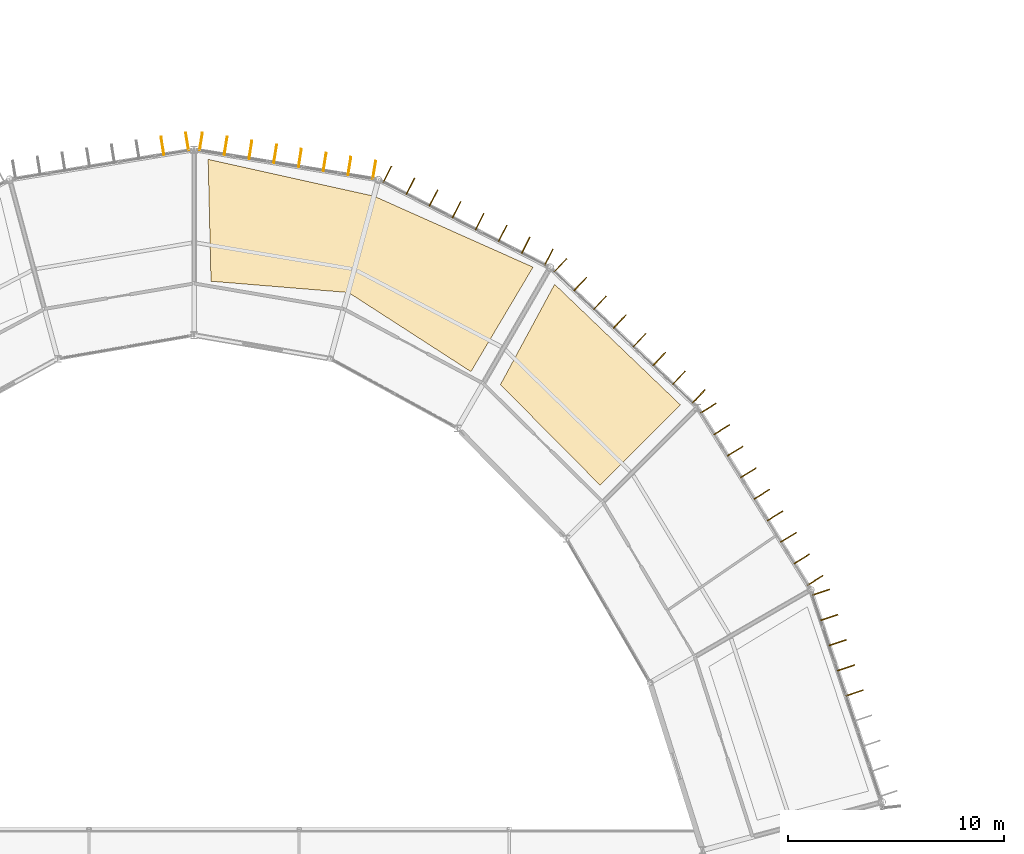
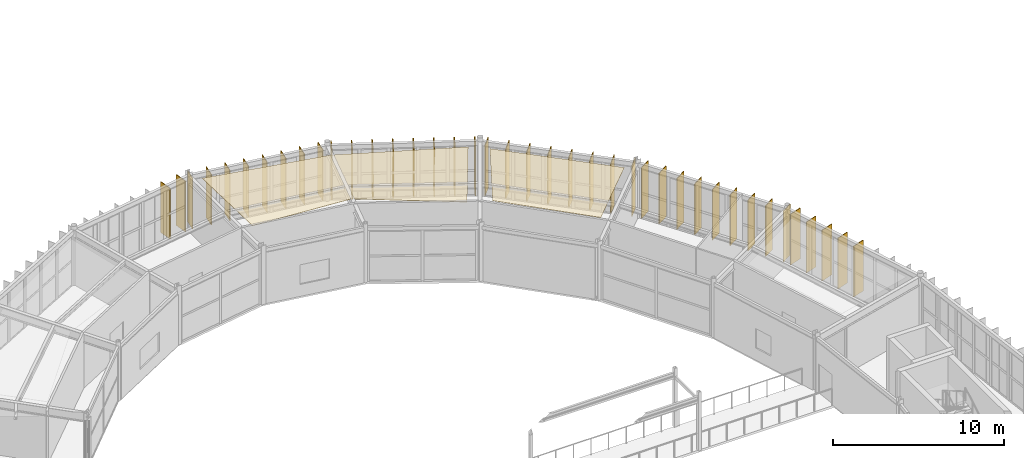
# One storey, part 146 of 148: 40 shading devices, 2 coverings.
"""IFC4 building model written with IfcOpenShell, lengths in metres."""

from ifc_helpers import new_model, si_unit, direction, frame, origin, origin_2d, place, context, subcontext, project, spatial, polyline, rectangle, outline, extrude, material, layer, layer_set, type_object, element, save


model = new_model("IFC4")

# Units and contexts
model_context = context("Model", 3, precision=1e-05, world=origin(), true_north=direction((0.0, 1.0)))
body_context = subcontext(model_context, "Body", "Model", "MODEL_VIEW")
ifc_project = project(units=[si_unit("LENGTHUNIT", "METRE"), si_unit("AREAUNIT", "SQUARE_METRE"), si_unit("VOLUMEUNIT", "CUBIC_METRE"), si_unit("PLANEANGLEUNIT", "RADIAN"), si_unit("MASSUNIT", "GRAM", prefix="KILO")], contexts=[model_context])

# Site, building, storey
site_placement = place(None, origin())
site = spatial("IfcSite", under=ifc_project, at=site_placement, CompositionType="ELEMENT")
building_placement = place(site_placement, origin())
building = spatial("IfcBuilding", under=site, at=building_placement, Name="Karori Crest Natural Sciences Institute", CompositionType="ELEMENT")
storey_placement = place(building_placement, frame((0.0, 0.0, 4.89990234375)))
storey = spatial("IfcBuildingStorey", under=building, at=storey_placement, Name="L01", CompositionType="ELEMENT", Elevation=4.89990234375)

# Coverings
ifc_material_1 = material(Name="Acoustic mineral fibre ceiling tile")
ifc_layer_1 = layer(ifc_material_1, 0.02490234375, Name="Acoustic mineral fibre ceiling tile")
ifc_layer_set_1 = layer_set([ifc_layer_1], Name="Acoustic mineral fibre ceiling tile")
covering_type = type_object("IfcCoveringType", Name="CVT-CEIL", PredefinedType="CEILING", material=ifc_layer_set_1)
covering_1_placement = place(storey_placement, frame((0.0, 0.0, 3.705078125)))
element("IfcCovering", 1, at=covering_1_placement, inside=storey, type_object=covering_type, Name="Acoustic ceiling CLG-0055", PredefinedType="CEILING", context=body_context, shape_type="SweptSolid", body=[
    extrude(outline(polyline([(80.598388671875, 79.8115234375), (85.21337890625, 75.154052734375), (88.943603515625, 78.87060546875), (83.110595703125, 84.4619140625), (80.598388671875, 79.8115234375)])), origin(), (0.0, 0.0, 1.0), 0.02490234375),
])
covering_2_placement = place(storey_placement, frame((0.0, 0.0, 3.705078125)))
element("IfcCovering", 2, at=covering_2_placement, inside=storey, type_object=covering_type, Name="Acoustic ceiling CLG-0056", PredefinedType="CEILING", context=body_context, shape_type="SweptSolid", body=[
    extrude(outline(polyline([(73.555908203125, 84.079833984375), (79.2314453125, 80.412841796875), (82.1103515625, 85.256591796875), (74.745361328125, 88.54443359375), (67.05078125, 90.251953125), (67.183349609375, 84.602783203125), (73.555908203125, 84.079833984375)])), origin(), (0.0, 0.0, 1.0), 0.02490234375),
])

# Shading devices
ifc_material_2 = material(Name="Anodised architectural aluminium 6063-T6", Category="aluminium")
ifc_layer_2 = layer(ifc_material_2, 0.044921875, Name="Anodised architectural aluminium 6063-T6")
ifc_layer_set_2 = layer_set([ifc_layer_2], Name="Anodised architectural aluminium 6063-T6")
shading_device_type = type_object("IfcShadingDeviceType", Name="SDT-FIN", PredefinedType="USERDEFINED", material=ifc_layer_set_2)
for number, where, z_axis, x_axis, name in (
    (3, (95.4501953125, 70.18359375, 0.0), (0.0, 0.0, 1.0), (0.948196204549, 0.317685312343, 0.0), "Vertical solar fin FN-0010"),
    (4, (95.841064453125, 69.01708984375, 0.0), (0.0, 0.0, 1.0), (0.948196204549, 0.317685312343, 0.0), "Vertical solar fin FN-0011"),
    (5, (96.231689453125, 67.8505859375, 0.0), (0.0, 0.0, 1.0), (0.948196204549, 0.317685312343, 0.0), "Vertical solar fin FN-0012"),
    (6, (96.62255859375, 66.68408203125, 0.0), (0.0, 0.0, 1.0), (0.948196204549, 0.317685312343, 0.0), "Vertical solar fin FN-0013"),
    (7, (97.013427734375, 65.517578125, 0.0), (0.0, 0.0, 1.0), (0.948196204549, 0.317685312343, 0.0), "Vertical solar fin FN-0014"),
    (8, (90.236083984375, 78.719482421875, 0.0), (0.0, 0.0, 1.0), (0.849665445313, 0.527322132136, 0.0), "Vertical solar fin FN-0019"),
    (9, (90.855224609375, 77.7216796875, 0.0), (0.0, 0.0, 1.0), (0.849665445313, 0.527322132136, 0.0), "Vertical solar fin FN-0020"),
    (10, (91.474609375, 76.723876953125, 0.0), (0.0, 0.0, 1.0), (0.849665445313, 0.527322132136, 0.0), "Vertical solar fin FN-0021"),
    (11, (92.09375, 75.72607421875, 0.0), (0.0, 0.0, 1.0), (0.849665445313, 0.527322132136, 0.0), "Vertical solar fin FN-0022"),
    (12, (92.712890625, 74.728271484375, 0.0), (0.0, 0.0, 1.0), (0.849665445313, 0.527322132136, 0.0), "Vertical solar fin FN-0023"),
    (13, (93.332275390625, 73.73046875, 0.0), (0.0, 0.0, 1.0), (0.849665445313, 0.527322132136, 0.0), "Vertical solar fin FN-0024"),
    (14, (93.951416015625, 72.732666015625, 0.0), (0.0, 0.0, 1.0), (0.849665445313, 0.527322132136, 0.0), "Vertical solar fin FN-0025"),
    (15, (94.57080078125, 71.73486328125, 0.0), (0.0, 0.0, 1.0), (0.849665445313, 0.527322132136, 0.0), "Vertical solar fin FN-0026"),
    (16, (95.18994140625, 70.737060546875, 0.0), (0.0, 0.0, 1.0), (0.849665445313, 0.527322132136, 0.0), "Vertical solar fin FN-0027"),
    (17, (83.382080078125, 85.34130859375, 0.0), (0.0, 0.0, 1.0), (0.688245690469, 0.725477683703, 0.0), "Vertical solar fin FN-0028"),
    (18, (84.297607421875, 84.472900390625, 0.0), (0.0, 0.0, 1.0), (0.688245690469, 0.725477683703, 0.0), "Vertical solar fin FN-0029"),
    (19, (85.213134765625, 83.6044921875, 0.0), (0.0, 0.0, 1.0), (0.688245690469, 0.725477683703, 0.0), "Vertical solar fin FN-0030"),
    (20, (86.12841796875, 82.736083984375, 0.0), (0.0, 0.0, 1.0), (0.688245690469, 0.725477683703, 0.0), "Vertical solar fin FN-0031"),
    (21, (87.0439453125, 81.86767578125, 0.0), (0.0, 0.0, 1.0), (0.688245690469, 0.725477683703, 0.0), "Vertical solar fin FN-0032"),
    (22, (87.959228515625, 80.999267578125, 0.0), (0.0, 0.0, 1.0), (0.688245690469, 0.725477683703, 0.0), "Vertical solar fin FN-0033"),
    (23, (88.874755859375, 80.130859375, 0.0), (0.0, 0.0, 1.0), (0.688245690469, 0.725477683703, 0.0), "Vertical solar fin FN-0034"),
    (24, (89.7900390625, 79.262451171875, 0.0), (0.0, 0.0, 1.0), (0.688245690469, 0.725477683703, 0.0), "Vertical solar fin FN-0035"),
    (25, (75.359375, 89.55615234375, 0.0), (0.0, 0.0, 1.0), (0.455832320655, 0.890065669176, 0.0), "Vertical solar fin FN-0036"),
    (26, (76.42822265625, 89.0087890625, 0.0), (0.0, 0.0, 1.0), (0.455832320655, 0.890065669176, 0.0), "Vertical solar fin FN-0037"),
    (27, (77.4970703125, 88.46142578125, 0.0), (0.0, 0.0, 1.0), (0.455832320655, 0.890065669176, 0.0), "Vertical solar fin FN-0038"),
    (28, (78.56591796875, 87.9140625, 0.0), (0.0, 0.0, 1.0), (0.455832320655, 0.890065669176, 0.0), "Vertical solar fin FN-0039"),
    (29, (79.634765625, 87.36669921875, 0.0), (0.0, 0.0, 1.0), (0.455832320655, 0.890065669176, 0.0), "Vertical solar fin FN-0040"),
    (30, (80.70361328125, 86.819091796875, 0.0), (0.0, 0.0, 1.0), (0.455832320655, 0.890065669176, 0.0), "Vertical solar fin FN-0041"),
    (31, (81.7724609375, 86.271728515625, 0.0), (0.0, 0.0, 1.0), (0.455832320655, 0.890065669176, 0.0), "Vertical solar fin FN-0042"),
    (32, (82.84130859375, 85.724365234375, 0.0), (0.0, 0.0, 1.0), (0.455832320655, 0.890065669176, 0.0), "Vertical solar fin FN-0043"),
    (33, (66.718017578125, 91.063720703125, 0.0), (0.0, 0.0, 1.0), (0.160651265334, 0.987011231419, 0.0), "Vertical solar fin FN-0044"),
    (34, (67.865478515625, 90.876708984375, 0.0), (0.0, 0.0, 1.0), (0.160651265334, 0.987011231419, 0.0), "Vertical solar fin FN-0045"),
    (35, (69.012939453125, 90.690185546875, 0.0), (0.0, 0.0, 1.0), (0.160651265334, 0.987011231419, 0.0), "Vertical solar fin FN-0046"),
    (36, (70.160400390625, 90.50341796875, 0.0), (0.0, 0.0, 1.0), (0.160651265334, 0.987011231419, 0.0), "Vertical solar fin FN-0047"),
    (37, (71.307861328125, 90.31640625, 0.0), (0.0, 0.0, 1.0), (0.160651265334, 0.987011231419, 0.0), "Vertical solar fin FN-0048"),
    (38, (72.455322265625, 90.1298828125, 0.0), (0.0, 0.0, 1.0), (0.160651265334, 0.987011231419, 0.0), "Vertical solar fin FN-0049"),
    (39, (73.602783203125, 89.943115234375, 0.0), (0.0, 0.0, 1.0), (0.160651265334, 0.987011231419, 0.0), "Vertical solar fin FN-0050"),
    (40, (74.750244140625, 89.756103515625, 0.0), (0.0, 0.0, 1.0), (0.160651265334, 0.987011231419, 0.0), "Vertical solar fin FN-0051"),
    (41, (64.936767578125, 90.877197265625, 0.0), (0.0, 0.0, 1.0), (-0.16065643331, 0.987010390237, 0.0), "Vertical solar fin FN-0058"),
    (42, (66.081787109375, 91.063720703125, 0.0), (0.0, 0.0, 1.0), (-0.16065643331, 0.987010390237, 0.0), "Vertical solar fin FN-0059"),
):
    element("IfcShadingDevice", number, at=place(storey_placement, frame(where, z_axis=z_axis, x_axis=x_axis)), inside=storey, type_object=shading_device_type, Name=name, ObjectType="SOLAR_FIN", PredefinedType="USERDEFINED", context=body_context, shape_type="SweptSolid", body=[
        extrude(rectangle(XDim=0.85009765625, YDim=0.044921875, at=origin_2d()), origin(), (0.0, 0.0, 1.0), 3.625),
    ])

save(model, "model.ifc")
